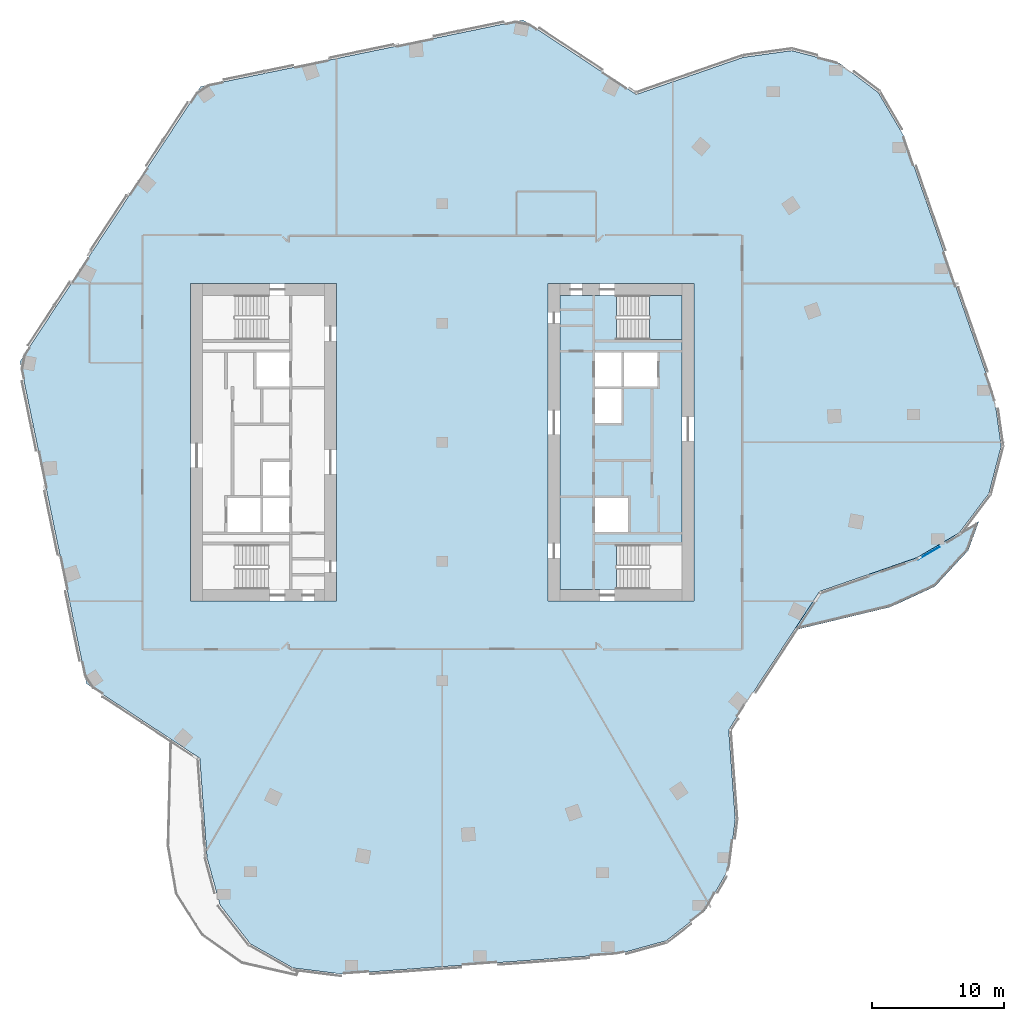
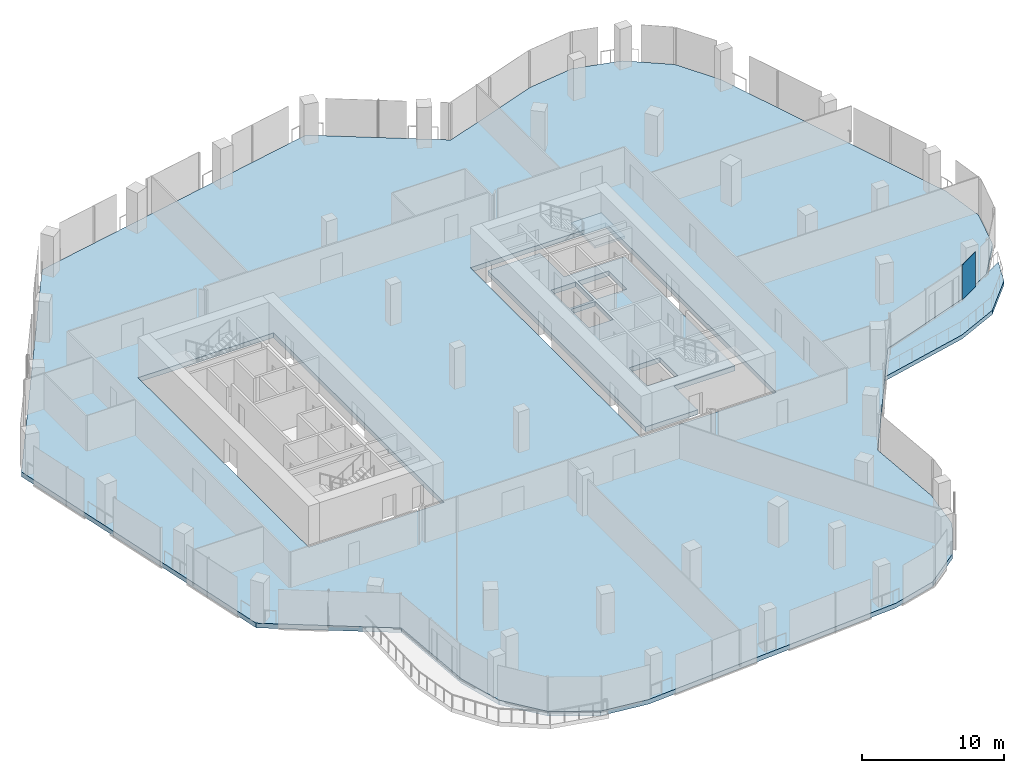
# One storey, part 14 of 26: 4 slabs, 1 plate, 2 elements without a shape of their own.
"""IFC4 building model written with IfcOpenShell, lengths in metres."""

from ifc_helpers import new_model, si_unit, direction, frame, origin, origin_2d, place, context, subcontext, project, spatial, polyline, rectangle, outline, extrude, material, layer, layer_set, type_object, element, aggregate, save


model = new_model("IFC4")

# Units and contexts
model_context = context("Model", 3, precision=1e-05, world=origin(), true_north=direction((0.0, 1.0)))
body_context = subcontext(model_context, "Body", "Model", "MODEL_VIEW")
ifc_project = project(units=[si_unit("LENGTHUNIT", "METRE"), si_unit("AREAUNIT", "SQUARE_METRE"), si_unit("VOLUMEUNIT", "CUBIC_METRE"), si_unit("PLANEANGLEUNIT", "RADIAN"), si_unit("MASSUNIT", "GRAM", prefix="KILO")], contexts=[model_context])

# Site, building, storey
site_placement = place(None, origin())
site = spatial("IfcSite", under=ifc_project, at=site_placement, CompositionType="ELEMENT")
building_placement = place(site_placement, origin())
building = spatial("IfcBuilding", under=site, at=building_placement, Name="Orlundy Tower", CompositionType="ELEMENT")
storey_placement = place(building_placement, frame((0.0, 0.0, 232.0)))
storey = spatial("IfcBuildingStorey", under=building, at=storey_placement, Name="L61", CompositionType="ELEMENT", Elevation=232.0)

# Curtain wall, plate
ifc_material_1 = material(Name="Aluminium bronze anodised", Category="aluminium")
curtain_wall_type = type_object("IfcCurtainWallType", Name="CW1 wall", PredefinedType="NOTDEFINED", material=ifc_material_1)
curtain_wall_placement = place(storey_placement, origin())
curtain_wall = element("IfcCurtainWall", 1, at=curtain_wall_placement, inside=storey, type_object=curtain_wall_type, Name="CW1 run 027", PredefinedType="NOTDEFINED")
ifc_material_2 = material(Name="Tinted glass", Category="glass")
ifc_layer_1 = layer(ifc_material_2, 0.031982421875)
ifc_layer_set_1 = layer_set([ifc_layer_1], Name="CW1 glass panel 32")
plate_type = type_object("IfcPlateType", Name="CW1 glass panel 32", PredefinedType="CURTAIN_PANEL", material=ifc_layer_set_1)
plate_placement = place(storey_placement, frame((36.74658203125, -8.37646484375, 0.1201171875), z_axis=(0.0, 0.0, 1.0), x_axis=(-0.862287730604, -0.506418670322, 0.0)))
plate = element("IfcPlate", 2, at=plate_placement, type_object=plate_type, Name="CW1 panel", PredefinedType="CURTAIN_PANEL", context=body_context, shape_type="SweptSolid", body=[
    extrude(rectangle(XDim=1.873779296875, YDim=0.031982421875, at=origin_2d()), origin(), (0.0, 0.0, 1.0), 2.97998046875),
])
aggregate(curtain_wall, [plate])

# Slab
ifc_material_3 = material(Name="Concrete C50/60", Category="concrete")
ifc_layer_2 = layer(ifc_material_3, 0.409912109375)
ifc_layer_set_2 = layer_set([ifc_layer_2], Name="Core Floor Slab 410")
slab_type_1 = type_object("IfcSlabType", Name="Core Floor Slab 410", PredefinedType="FLOOR", material=ifc_layer_set_2)
slab_1_placement = place(storey_placement, frame((0.0, 0.0, -0.409912109375)))
element("IfcSlab", 3, at=slab_1_placement, inside=storey, type_object=slab_type_1, Name="Core floor E47", PredefinedType="FLOOR", context=body_context, shape_type="SweptSolid", body=[
    extrude(outline(polyline([(18.10009765625, -7.75), (13.14501953125, -7.75), (13.14501953125, -11.10009765625), (8.89990234375, -11.10009765625), (8.89990234375, 11.10009765625), (13.14501953125, 11.10009765625), (13.14501953125, 7.75), (18.10009765625, 7.75), (18.10009765625, -7.75)]), holes=[polyline([(13.5400390625, 4.22509765625), (13.5400390625, 6.77490234375), (11.5400390625, 6.77490234375), (11.5400390625, 4.22509765625), (13.5400390625, 4.22509765625)]), polyline([(13.739990234375, 4.22509765625), (16.239990234375, 4.22509765625), (16.239990234375, 6.77490234375), (13.739990234375, 6.77490234375), (13.739990234375, 4.22509765625)]), polyline([(11.5400390625, 4.02490234375), (11.5400390625, 1.47509765625), (13.5400390625, 1.47509765625), (13.5400390625, 4.02490234375), (11.5400390625, 4.02490234375)]), polyline([(14.0400390625, -4.22509765625), (11.5400390625, -4.22509765625), (11.5400390625, -6.77490234375), (14.0400390625, -6.77490234375), (14.0400390625, -4.22509765625)])]), origin(), (0.0, 0.0, 1.0), 0.409912109375),
])

# Stair, slab
ifc_material_4 = material(Name="Concrete C50/60", Category="concrete")
stair_type = type_object("IfcStairType", Name="Exit Stair 20 risers", PredefinedType="HALF_TURN_STAIR", material=ifc_material_4)
stair_placement = place(storey_placement, origin())
stair = element("IfcStair", 4, at=stair_placement, inside=storey, type_object=stair_type, Name="L61 Exit Stair ST-E2", PredefinedType="HALF_TURN_STAIR")
ifc_material_5 = material(Name="Concrete C50/60", Category="concrete")
ifc_layer_3 = layer(ifc_material_5, 0.199951171875)
ifc_layer_set_3 = layer_set([ifc_layer_3], Name="Exit Stair Landing")
slab_type_2 = type_object("IfcSlabType", Name="Exit Stair Landing", PredefinedType="LANDING", material=ifc_layer_set_3)
slab_2_placement = place(storey_placement, frame((0.0, 0.0, 1.550048828125)))
slab_2 = element("IfcSlab", 5, at=slab_2_placement, type_object=slab_type_2, Name="ST-E2 landing 1", PredefinedType="LANDING", context=body_context, shape_type="SweptSolid", body=[
    extrude(outline(polyline([(15.659912109375, 7.75), (18.10009765625, 7.75), (18.10009765625, 11.10009765625), (15.659912109375, 11.10009765625), (15.659912109375, 7.75)])), origin(), (0.0, 0.0, 1.0), 0.199951171875),
])
aggregate(stair, [slab_2])

# Slabs
ifc_material_6 = material(Name="Concrete C45/55", Category="concrete")
ifc_layer_4 = layer(ifc_material_6, 0.39990234375)
ifc_layer_set_4 = layer_set([ifc_layer_4], Name="FLOOR SLAB THICK 400 C45/55")
slab_type_3 = type_object("IfcSlabType", Name="FLOOR SLAB THICK 400 C45/55", PredefinedType="FLOOR", material=ifc_layer_set_4)
slab_3_placement = place(storey_placement, frame((0.0, 0.0, -0.39990234375)))
element("IfcSlab", 6, at=slab_3_placement, inside=storey, type_object=slab_type_3, Name="Floor slab L61", PredefinedType="FLOOR", context=body_context, shape_type="SweptSolid", body=[
    extrude(outline(polyline([(28.4951171875, -11.26904296875), (21.634033203125, -21.700927734375), (22.126953125, -28.468017578125), (21.669921875, -32.14599609375), (19.840087890625, -35.368896484375), (16.916015625, -37.64697265625), (13.342041015625, -38.633056640625), (-7.60205078125, -40.158935546875), (-11.281005859375, -39.700927734375), (-14.50390625, -37.87109375), (-16.781982421875, -34.947021484375), (-17.76708984375, -31.3740234375), (-18.31494140625, -23.861083984375), (-26.866943359375, -18.236083984375), (-31.89306640625, 6.10302734375), (-18.236083984375, 26.866943359375), (6.10302734375, 31.89306640625), (14.656005859375, 26.26806640625), (22.715087890625, 29.069091796875), (26.386962890625, 29.580078125), (29.97412109375, 28.64599609375), (32.930908203125, 26.410888671875), (34.80810546875, 23.215087890625), (41.701904296875, 3.37890625), (42.212890625, -0.29296875), (41.280029296875, -3.8798828125), (39.0439453125, -6.8369140625), (35.847900390625, -8.714111328125), (28.4951171875, -11.26904296875)]), holes=[polyline([(-8.0, -12.0), (-8.0, 12.0), (-19.0, 12.0), (-19.0, -12.0), (-8.0, -12.0)]), polyline([(19.0, -12.0), (19.0, 12.0), (8.0, 12.0), (8.0, -12.0), (19.0, -12.0)])]), origin(), (0.0, 0.0, 1.0), 0.39990234375),
])
ifc_material_7 = material(Name="Concrete C45/55", Category="concrete")
ifc_layer_5 = layer(ifc_material_7, 0.35009765625)
ifc_layer_set_5 = layer_set([ifc_layer_5], Name="TERRACE SLAB 350 C45/55")
slab_type_4 = type_object("IfcSlabType", Name="TERRACE SLAB 350 C45/55", PredefinedType="ROOF", material=ifc_layer_set_5)
slab_4_placement = place(storey_placement, frame((0.0, 0.0, -0.35009765625)))
element("IfcSlab", 7, at=slab_4_placement, inside=storey, type_object=slab_type_4, Name="Terrace slab L61-1", PredefinedType="ROOF", context=body_context, shape_type="SweptSolid", body=[
    extrude(outline(polyline([(26.575927734375, -14.18798828125), (28.4951171875, -11.26904296875), (35.847900390625, -8.714111328125), (40.531005859375, -5.962890625), (39.722900390625, -8.1689453125), (37.2060546875, -10.89208984375), (33.840087890625, -12.444091796875), (26.575927734375, -14.18798828125)])), origin(), (0.0, 0.0, 1.0), 0.35009765625),
])

save(model, "model.ifc")
